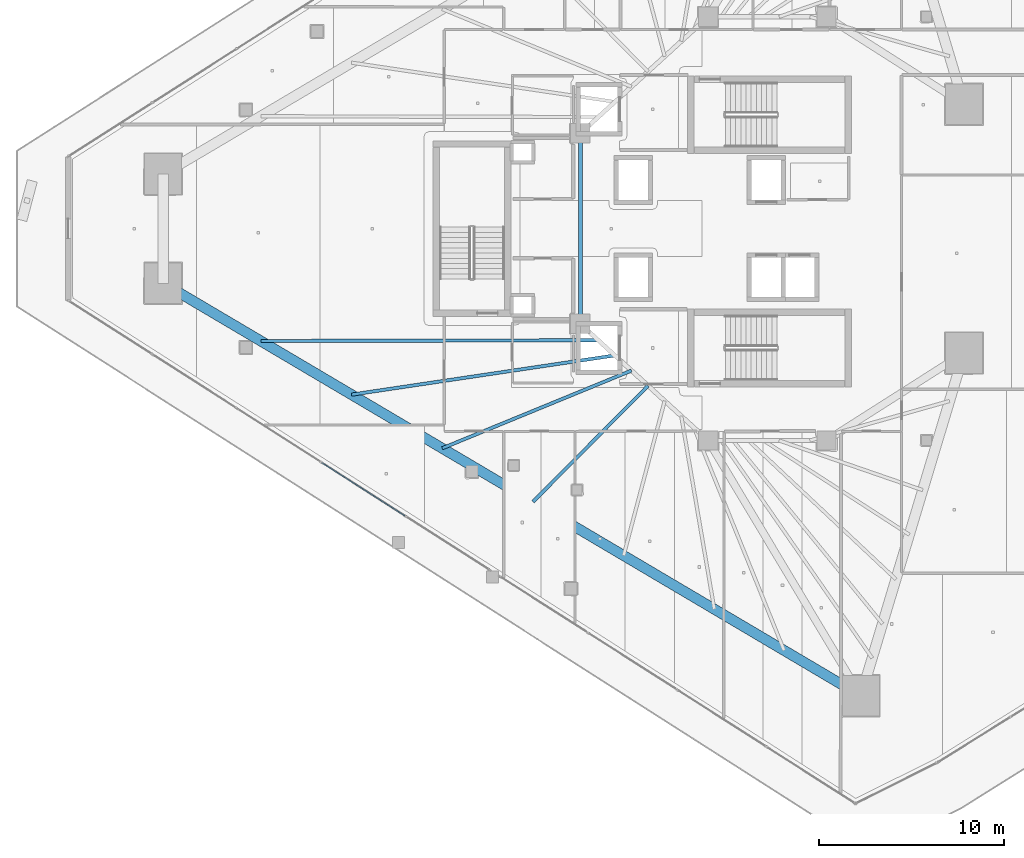
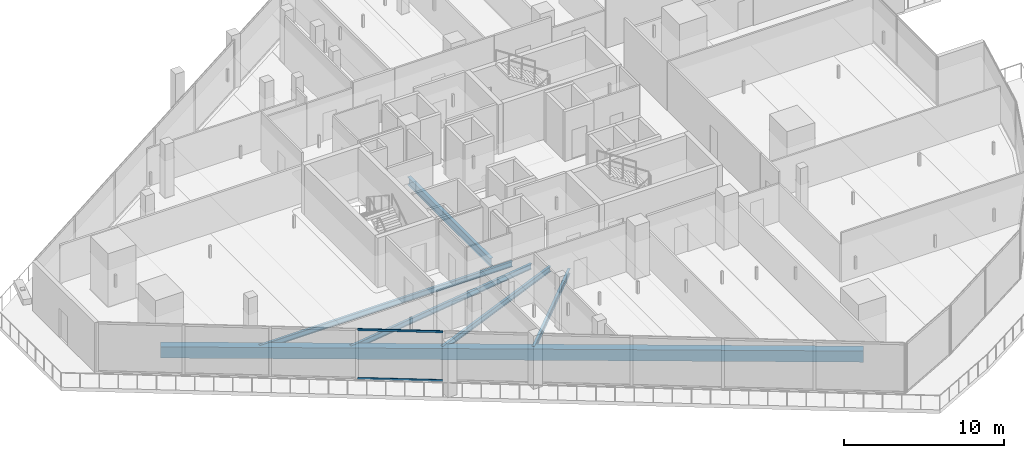
# One storey, part 5 of 44: 6 beams, 2 members, 1 element without a shape of its own.
"""IFC4 building model written with IfcOpenShell, lengths in metres."""

from ifc_helpers import new_model, si_unit, direction, frame, origin, origin_2d, place, context, subcontext, project, spatial, rectangle, hollow_rectangle, i_section, extrude, material, layer, layer_set, material_profile, profile_set, type_object, element, aggregate, save


model = new_model("IFC4")

# Units and contexts
model_context = context("Model", 3, precision=1e-05, world=origin(), true_north=direction((0.0, 1.0)))
body_context = subcontext(model_context, "Body", "Model", "MODEL_VIEW")
ifc_project = project(units=[si_unit("LENGTHUNIT", "METRE"), si_unit("AREAUNIT", "SQUARE_METRE"), si_unit("VOLUMEUNIT", "CUBIC_METRE"), si_unit("PLANEANGLEUNIT", "RADIAN"), si_unit("MASSUNIT", "GRAM", prefix="KILO")], contexts=[model_context])

# Site, building, storey
site_placement = place(None, origin())
site = spatial("IfcSite", under=ifc_project, at=site_placement, CompositionType="ELEMENT")
building_placement = place(site_placement, origin())
building = spatial("IfcBuilding", under=site, at=building_placement, Name="Qorvath Tower", CompositionType="ELEMENT")
storey_placement = place(building_placement, frame((0.0, 0.0, 113.85009765625)))
storey = spatial("IfcBuildingStorey", under=building, at=storey_placement, Name="L25", CompositionType="ELEMENT", Elevation=113.85009765625)

# Beams
ifc_material_1 = material(Name="Steel ASTM A992 Grade 50", Category="steel")
ifc_material_profile_1 = material_profile(ifc_material_1, i_section(OverallWidth=0.22998046875, OverallDepth=0.616943359375, WebThickness=0.01318359375, FlangeThickness=0.022216796875, FilletRadius=0.014892578125, at=origin_2d()), Name="W24x94")
ifc_profile_set_1 = profile_set([ifc_material_profile_1], Name="Steel ASTM A992 Grade 50")
beam_type_1 = type_object("IfcBeamType", Name="BM-FG6", PredefinedType="BEAM", material=ifc_profile_set_1)
beam_1_placement = place(storey_placement, frame((-30.5, -5.14990234375, -0.58837890625), z_axis=(0.0, 1.0, 0.0), x_axis=(-1.0, 0.0, 0.0)))
element("IfcBeam", 1, at=beam_1_placement, inside=storey, type_object=beam_type_1, Name="Core Ring Girder CC6-CC5 L25", PredefinedType="BEAM", context=body_context, shape_type="SweptSolid", body=[
    extrude(i_section(OverallWidth=0.22998046875, OverallDepth=0.616943359375, WebThickness=0.01318359375, FlangeThickness=0.022216796875, FilletRadius=0.014892578125, at=origin_2d()), origin(), (0.0, 0.0, 1.0), 10.2998046875),
])
ifc_material_2 = material(Name="Steel ASTM A992 Grade 50", Category="steel")
ifc_material_profile_2 = material_profile(ifc_material_2, i_section(OverallWidth=0.177978515625, OverallDepth=0.406005859375, WebThickness=0.0078125, FlangeThickness=0.0126953125, FilletRadius=0.010986328125, at=origin_2d()), Name="W16x40")
ifc_profile_set_2 = profile_set([ifc_material_profile_2], Name="Steel ASTM A992 Grade 50")
beam_type_2 = type_object("IfcBeamType", Name="BM-FJ3", PredefinedType="JOIST", material=ifc_profile_set_2)
beam_2_placement = place(storey_placement, frame((-29.533935546875, -6.031982421875, -0.48291015625), z_axis=(-0.999997589883, -0.002195501951, 0.0), x_axis=(0.002195501951, -0.999997589883, 0.0)))
element("IfcBeam", 2, at=beam_2_placement, inside=storey, type_object=beam_type_2, Name="Composite Floor Joist SW1 L25", PredefinedType="JOIST", context=body_context, shape_type="SweptSolid", body=[
    extrude(i_section(OverallWidth=0.177978515625, OverallDepth=0.406005859375, WebThickness=0.0078125, FlangeThickness=0.0126953125, FilletRadius=0.010986328125, at=origin_2d()), origin(), (0.0, 0.0, 1.0), 18.23681640625),
])
beam_3_placement = place(storey_placement, frame((-28.636962890625, -6.85107421875, -0.48291015625), z_axis=(-0.989092860328, -0.147293291256, 0.0), x_axis=(0.147293291256, -0.989092860328, 0.0)))
element("IfcBeam", 3, at=beam_3_placement, inside=storey, type_object=beam_type_2, Name="Composite Floor Joist SW2 L25", PredefinedType="JOIST", context=body_context, shape_type="SweptSolid", body=[
    extrude(i_section(OverallWidth=0.177978515625, OverallDepth=0.406005859375, WebThickness=0.0078125, FlangeThickness=0.0126953125, FilletRadius=0.010986328125, at=origin_2d()), origin(), (0.0, 0.0, 1.0), 14.388916015625),
])
beam_4_placement = place(storey_placement, frame((-27.739990234375, -7.669921875, -0.48291015625), z_axis=(-0.925068176006, -0.379801092338, 0.0), x_axis=(0.379801092338, -0.925068176006, 0.0)))
element("IfcBeam", 4, at=beam_4_placement, inside=storey, type_object=beam_type_2, Name="Composite Floor Joist SW3 L25", PredefinedType="JOIST", context=body_context, shape_type="SweptSolid", body=[
    extrude(i_section(OverallWidth=0.177978515625, OverallDepth=0.406005859375, WebThickness=0.0078125, FlangeThickness=0.0126953125, FilletRadius=0.010986328125, at=origin_2d()), origin(), (0.0, 0.0, 1.0), 11.0556640625),
])
beam_5_placement = place(storey_placement, frame((-26.843017578125, -8.489013671875, -0.48291015625), z_axis=(-0.70395121362, -0.710248328997, 0.0), x_axis=(0.710248328997, -0.70395121362, 0.0)))
element("IfcBeam", 5, at=beam_5_placement, inside=storey, type_object=beam_type_2, Name="Composite Floor Joist SW4 L25", PredefinedType="JOIST", context=body_context, shape_type="SweptSolid", body=[
    extrude(i_section(OverallWidth=0.177978515625, OverallDepth=0.406005859375, WebThickness=0.0078125, FlangeThickness=0.0126953125, FilletRadius=0.010986328125, at=origin_2d()), origin(), (0.0, 0.0, 1.0), 8.839599609375),
])
ifc_material_3 = material(Name="Concrete C50/60", Category="concrete")
ifc_material_profile_3 = material_profile(ifc_material_3, rectangle(XDim=0.550048828125, YDim=0.85009765625, at=origin_2d()), Name="RCB 850x550")
ifc_profile_set_3 = profile_set([ifc_material_profile_3], Name="Concrete C50/60")
beam_type_3 = type_object("IfcBeamType", Name="BM-RCB2", PredefinedType="SPANDREL", material=ifc_profile_set_3)
beam_6_placement = place(storey_placement, frame((-53.04931640625, -2.95068359375, -0.705078125), z_axis=(0.860775142889, -0.508985415689, 0.0), x_axis=(0.508985415689, 0.860775142889, 0.0)))
element("IfcBeam", 6, at=beam_6_placement, inside=storey, type_object=beam_type_3, Name="Perimeter Loggia Frame Beam MC2-MC3 L25", PredefinedType="SPANDREL", context=body_context, shape_type="SweptSolid", body=[
    extrude(rectangle(XDim=0.550048828125, YDim=0.85009765625, at=origin_2d()), origin(), (0.0, 0.0, 1.0), 43.8037109375),
])

# Curtain wall, members
ifc_material_4 = material(Name="Anodised aluminium and triple low-E glass", Category="aluminium")
ifc_layer = layer(ifc_material_4, 0.179931640625)
ifc_layer_set = layer_set([ifc_layer], Name="CW-SYS-2")
curtain_wall_type = type_object("IfcCurtainWallType", Name="CW-SYS-2", PredefinedType="NOTDEFINED", material=ifc_layer_set)
curtain_wall_placement = place(storey_placement, origin())
curtain_wall = element("IfcCurtainWall", 7, at=curtain_wall_placement, inside=storey, type_object=curtain_wall_type, Name="Curtain Wall CW-2 CW-T-L25-2.1", PredefinedType="NOTDEFINED")
ifc_material_5 = material(Name="Anodised aluminium 6063-T6", Category="aluminium")
ifc_material_profile_4 = material_profile(ifc_material_5, hollow_rectangle(XDim=0.06494140625, YDim=0.159912109375, WallThickness=0.00341796875, InnerFilletRadius=0.00341796875, OuterFilletRadius=0.007080078125, at=origin_2d()), Name="CWT 160x65")
ifc_profile_set_4 = profile_set([ifc_material_profile_4], Name="Anodised aluminium 6063-T6")
member_type = type_object("IfcMemberType", Name="CWT-160", PredefinedType="USERDEFINED", material=ifc_profile_set_4)
member_1_placement = place(storey_placement, frame((-44.48095703125, -12.64697265625, 0.032470703125), z_axis=(0.842599583756, -0.538540566211, 0.0), x_axis=(0.538540566211, 0.842599583756, 0.0)))
member_1 = element("IfcMember", 8, at=member_1_placement, type_object=member_type, Name="CW-2 transom 4.1", ObjectType="TRANSOM", PredefinedType="USERDEFINED", context=body_context, shape_type="SweptSolid", body=[
    extrude(hollow_rectangle(XDim=0.06494140625, YDim=0.159912109375, WallThickness=0.00341796875, InnerFilletRadius=0.00341796875, OuterFilletRadius=0.007080078125, at=origin_2d()), origin(), (0.0, 0.0, 1.0), 5.34765625),
])
member_2_placement = place(storey_placement, frame((-44.48095703125, -12.64697265625, 3.737548828125), z_axis=(0.842599583756, -0.538540566211, 0.0), x_axis=(0.538540566211, 0.842599583756, 0.0)))
member_2 = element("IfcMember", 9, at=member_2_placement, type_object=member_type, Name="CW-2 transom 4.2", ObjectType="TRANSOM", PredefinedType="USERDEFINED", context=body_context, shape_type="SweptSolid", body=[
    extrude(hollow_rectangle(XDim=0.06494140625, YDim=0.159912109375, WallThickness=0.00341796875, InnerFilletRadius=0.00341796875, OuterFilletRadius=0.007080078125, at=origin_2d()), origin(), (0.0, 0.0, 1.0), 5.34765625),
])
aggregate(curtain_wall, [member_1, member_2])

save(model, "model.ifc")
